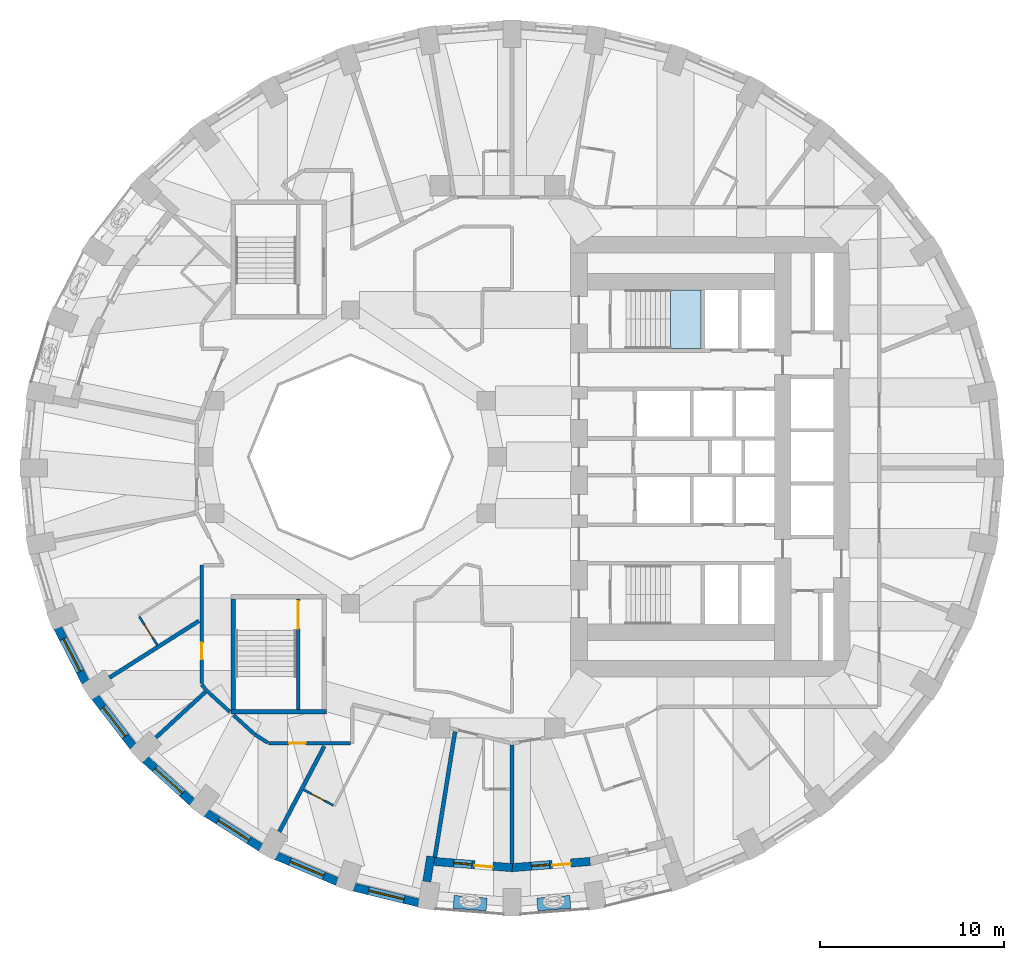
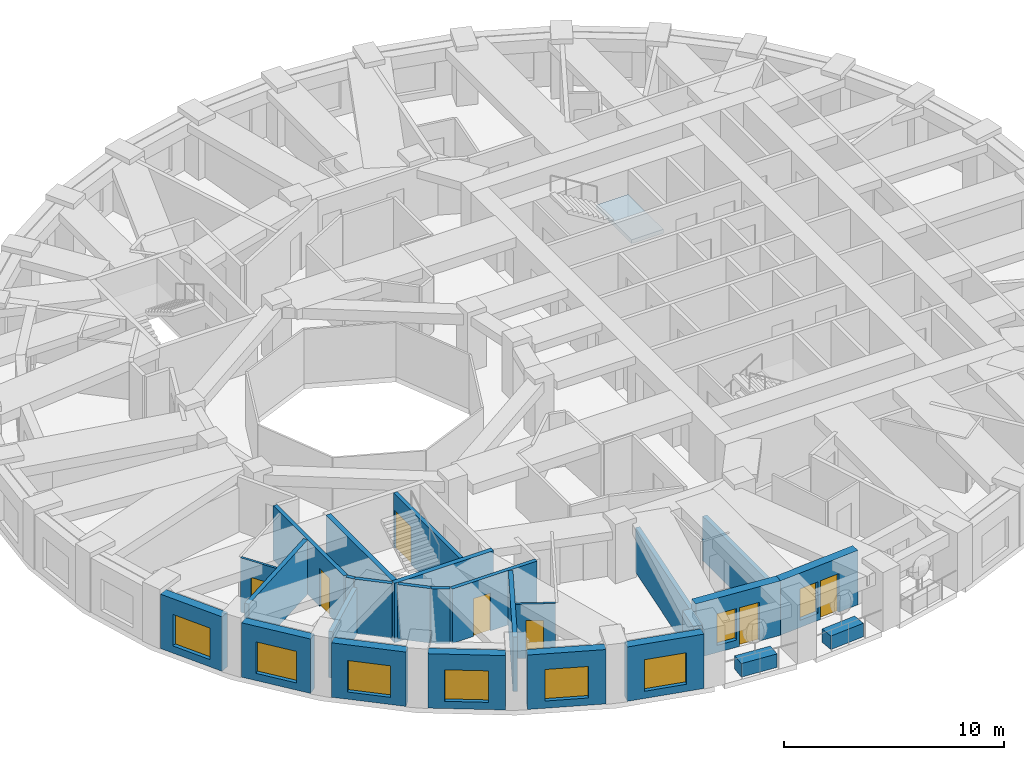
# One storey, part 3 of 13: 27 walls, 8 windows, 7 doors, 1 slab, 15 openings, 1 element without a shape of its own.
"""IFC4 building model written with IfcOpenShell, lengths in metres."""

from ifc_helpers import new_model, si_unit, direction, frame, frame_2d, origin, place, context, subcontext, project, spatial, polyline, rectangle, outline, extrude, material, layer, layer_set, constituent, constituent_set, type_object, element, fill, aggregate, save


model = new_model("IFC4")

# Units and contexts
model_context = context("Model", 3, precision=1e-05, world=origin(), true_north=direction((0.0, 1.0)))
body_context = subcontext(model_context, "Body", "Model", "MODEL_VIEW")
ifc_project = project(units=[si_unit("LENGTHUNIT", "METRE"), si_unit("AREAUNIT", "SQUARE_METRE"), si_unit("VOLUMEUNIT", "CUBIC_METRE"), si_unit("PLANEANGLEUNIT", "RADIAN"), si_unit("MASSUNIT", "GRAM", prefix="KILO")], contexts=[model_context])

# Site, building, storey
site_placement = place(None, origin())
site = spatial("IfcSite", under=ifc_project, at=site_placement, CompositionType="ELEMENT")
building_placement = place(site_placement, origin())
building = spatial("IfcBuilding", under=site, at=building_placement, Name="Taillehof Tower", CompositionType="ELEMENT")
storey_placement = place(building_placement, frame((0.0, 0.0, 112.0)))
storey = spatial("IfcBuildingStorey", under=building, at=storey_placement, Name="L31", CompositionType="ELEMENT", Elevation=112.0)

# Stair, slab
ifc_material_1 = material(Name="Concrete C40/50", Category="concrete")
stair_type = type_object("IfcStairType", Name="Exit stair half-turn", PredefinedType="HALF_TURN_STAIR", material=ifc_material_1)
stair_placement = place(storey_placement, origin())
stair = element("IfcStair", 1, at=stair_placement, inside=storey, type_object=stair_type, Name="Exit stair S1", PredefinedType="HALF_TURN_STAIR")
ifc_material_2 = material(Name="Concrete C40/50", Category="concrete")
ifc_layer_1 = layer(ifc_material_2, 0.2099609375)
ifc_layer_set_1 = layer_set([ifc_layer_1], Name="Stair landing C40/50 210")
slab_type = type_object("IfcSlabType", Name="Stair landing C40/50 210", PredefinedType="LANDING", material=ifc_layer_set_1)
slab_placement = place(storey_placement, frame((0.0, 0.0, 1.43994140625)))
slab = element("IfcSlab", 2, at=slab_placement, type_object=slab_type, Name="S1 landing 1", PredefinedType="LANDING", context=body_context, shape_type="SweptSolid", body=[
    extrude(outline(polyline([(9.429931640625, 5.89990234375), (11.10009765625, 5.89990234375), (11.10009765625, 9.10009765625), (9.429931640625, 9.10009765625), (9.429931640625, 5.89990234375)])), origin(), (0.0, 0.0, 1.0), 0.2099609375),
])
aggregate(stair, [slab])

# Wall, opening, window
ifc_material_3 = material(Name="Brick masonry", Category="masonry")
ifc_layer_2 = layer(ifc_material_3, 0.449951171875)
ifc_layer_set_2 = layer_set([ifc_layer_2], Name="Brick infill wall 450")
wall_type_1 = type_object("IfcWallType", Name="Brick infill wall 450", PredefinedType="SOLIDWALL", material=ifc_layer_set_2)
wall_1_placement = place(storey_placement, frame((-23.9453125, -9.312255859375, 0.0), z_axis=(0.0, 0.0, 1.0), x_axis=(0.456828186229, -0.889554949549, 0.0)))
wall_1 = element("IfcWall", 3, at=wall_1_placement, inside=storey, type_object=wall_type_1, Name="Brick wall L31 bay 21", PredefinedType="SOLIDWALL", context=body_context, shape_type="SweptSolid", body=[
    extrude(rectangle(XDim=3.332763671875, YDim=0.449951171875, at=frame_2d((1.66650390625, 0.0))), origin(), (0.0, 0.0, 1.0), 3.02001953125),
])
opening_1_placement = place(wall_1_placement, frame((0.666259765625, 0.0, 0.39990234375)))
opening_1 = element("IfcOpeningElement", 4, at=opening_1_placement, cuts=wall_1, Name="Opening W2", PredefinedType="OPENING", context=body_context, shape_type="SweptSolid", body=[
    extrude(rectangle(XDim=2.0, YDim=1.75, at=frame_2d((1.0, 0.875))), frame((0.0, 0.23486328125, 0.0), z_axis=(0.0, -1.0, 0.0), x_axis=(1.0, 0.0, 0.0)), (0.0, 0.0, 1.0), 0.469970703125),
])
ifc_material_4 = material(Name="Aluminium window frame with clear double glazing", Category="aluminium")
window_type_1 = type_object("IfcWindowType", Name="Deep-set window 2000x1750", PartitioningType="SINGLE_PANEL", PredefinedType="WINDOW", material=ifc_material_4)
window_1_placement = place(opening_1_placement, origin())
window_1 = element("IfcWindow", 5, at=window_1_placement, inside=storey, type_object=window_type_1, Name="W2", OverallHeight=1.75, OverallWidth=2.0, PartitioningType="SINGLE_PANEL", PredefinedType="WINDOW", context=body_context, shape_type="SweptSolid", body=[
    extrude(rectangle(XDim=2.0, YDim=1.75, at=frame_2d((1.0, 0.875))), frame((0.0, 0.034912109375, 0.0), z_axis=(0.0, -1.0, 0.0), x_axis=(1.0, 0.0, 0.0)), (0.0, 0.0, 1.0), 0.06005859375),
])
fill(opening_1, window_1)

wall_2_placement = place(storey_placement, frame((-21.908203125, -13.08740234375, 0.0), z_axis=(0.0, 0.0, 1.0), x_axis=(0.610693945156, -0.791866721961, 0.0)))
wall_2 = element("IfcWall", 6, at=wall_2_placement, inside=storey, type_object=wall_type_1, Name="Brick wall L31 bay 22", PredefinedType="SOLIDWALL", context=body_context, shape_type="SweptSolid", body=[
    extrude(rectangle(XDim=3.39453125, YDim=0.449951171875, at=frame_2d((1.697265625, 0.0))), origin(), (0.0, 0.0, 1.0), 3.02001953125),
])
opening_2_placement = place(wall_2_placement, frame((0.697265625, 0.0, 0.39990234375)))
opening_2 = element("IfcOpeningElement", 7, at=opening_2_placement, cuts=wall_2, Name="Opening W2", PredefinedType="OPENING", context=body_context, shape_type="SweptSolid", body=[
    extrude(rectangle(XDim=2.0, YDim=1.75, at=frame_2d((1.0, 0.875))), frame((0.0, 0.23486328125, 0.0), z_axis=(0.0, -1.0, 0.0), x_axis=(1.0, 0.0, 0.0)), (0.0, 0.0, 1.0), 0.469970703125),
])
window_2_placement = place(opening_2_placement, origin())
window_2 = element("IfcWindow", 8, at=window_2_placement, inside=storey, type_object=window_type_1, Name="W2", OverallHeight=1.75, OverallWidth=2.0, PartitioningType="SINGLE_PANEL", PredefinedType="WINDOW", context=body_context, shape_type="SweptSolid", body=[
    extrude(rectangle(XDim=2.0, YDim=1.75, at=frame_2d((1.0, 0.875))), frame((0.0, 0.034912109375, 0.0), z_axis=(0.0, -1.0, 0.0), x_axis=(1.0, 0.0, 0.0)), (0.0, 0.0, 1.0), 0.06005859375),
])
fill(opening_2, window_2)

wall_3_placement = place(storey_placement, frame((-19.18408203125, -16.481201171875, 0.0), z_axis=(0.0, 0.0, 1.0), x_axis=(0.740364106106, -0.672206062446, 0.0)))
wall_3 = element("IfcWall", 9, at=wall_3_placement, inside=storey, type_object=wall_type_1, Name="Brick wall L31 bay 23", PredefinedType="SOLIDWALL", context=body_context, shape_type="SweptSolid", body=[
    extrude(rectangle(XDim=3.4638671875, YDim=0.449951171875, at=frame_2d((1.73193359375, 0.0))), origin(), (0.0, 0.0, 1.0), 3.02001953125),
])
opening_3_placement = place(wall_3_placement, frame((0.73193359375, 0.0, 0.39990234375)))
opening_3 = element("IfcOpeningElement", 10, at=opening_3_placement, cuts=wall_3, Name="Opening W2", PredefinedType="OPENING", context=body_context, shape_type="SweptSolid", body=[
    extrude(rectangle(XDim=2.0, YDim=1.75, at=frame_2d((1.0, 0.875))), frame((0.0, 0.23486328125, 0.0), z_axis=(0.0, -1.0, 0.0), x_axis=(1.0, 0.0, 0.0)), (0.0, 0.0, 1.0), 0.469970703125),
])
window_3_placement = place(opening_3_placement, origin())
window_3 = element("IfcWindow", 11, at=window_3_placement, inside=storey, type_object=window_type_1, Name="W2", OverallHeight=1.75, OverallWidth=2.0, PartitioningType="SINGLE_PANEL", PredefinedType="WINDOW", context=body_context, shape_type="SweptSolid", body=[
    extrude(rectangle(XDim=2.0, YDim=1.75, at=frame_2d((1.0, 0.875))), frame((0.0, 0.034912109375, 0.0), z_axis=(0.0, -1.0, 0.0), x_axis=(1.0, 0.0, 0.0)), (0.0, 0.0, 1.0), 0.06005859375),
])
fill(opening_3, window_3)

wall_4_placement = place(storey_placement, frame((-15.856201171875, -19.39208984375, 0.0), z_axis=(0.0, 0.0, 1.0), x_axis=(0.843891947083, -0.53651317006, 0.0)))
wall_4 = element("IfcWall", 12, at=wall_4_placement, inside=storey, type_object=wall_type_1, Name="Brick wall L31 bay 24", PredefinedType="SOLIDWALL", context=body_context, shape_type="SweptSolid", body=[
    extrude(rectangle(XDim=3.531982421875, YDim=0.449951171875, at=frame_2d((1.76611328125, 0.0))), origin(), (0.0, 0.0, 1.0), 3.02001953125),
])
opening_4_placement = place(wall_4_placement, frame((0.76611328125, 0.0, 0.39990234375)))
opening_4 = element("IfcOpeningElement", 13, at=opening_4_placement, cuts=wall_4, Name="Opening W2", PredefinedType="OPENING", context=body_context, shape_type="SweptSolid", body=[
    extrude(rectangle(XDim=2.0, YDim=1.75, at=frame_2d((1.0, 0.875))), frame((0.0, 0.23486328125, 0.0), z_axis=(0.0, -1.0, 0.0), x_axis=(1.0, 0.0, 0.0)), (0.0, 0.0, 1.0), 0.469970703125),
])
window_4_placement = place(opening_4_placement, origin())
window_4 = element("IfcWindow", 14, at=window_4_placement, inside=storey, type_object=window_type_1, Name="W2", OverallHeight=1.75, OverallWidth=2.0, PartitioningType="SINGLE_PANEL", PredefinedType="WINDOW", context=body_context, shape_type="SweptSolid", body=[
    extrude(rectangle(XDim=2.0, YDim=1.75, at=frame_2d((1.0, 0.875))), frame((0.0, 0.034912109375, 0.0), z_axis=(0.0, -1.0, 0.0), x_axis=(1.0, 0.0, 0.0)), (0.0, 0.0, 1.0), 0.06005859375),
])
fill(opening_4, window_4)

wall_5_placement = place(storey_placement, frame((-12.025390625, -21.7333984375, 0.0), z_axis=(0.0, 0.0, 1.0), x_axis=(0.920879975612, -0.389846213932, 0.0)))
wall_5 = element("IfcWall", 15, at=wall_5_placement, inside=storey, type_object=wall_type_1, Name="Brick wall L31 bay 25", PredefinedType="SOLIDWALL", context=body_context, shape_type="SweptSolid", body=[
    extrude(rectangle(XDim=3.591552734375, YDim=0.449951171875, at=frame_2d((1.7958984375, 0.0))), origin(), (0.0, 0.0, 1.0), 3.02001953125),
])
opening_5_placement = place(wall_5_placement, frame((0.795654296875, 0.0, 0.39990234375)))
opening_5 = element("IfcOpeningElement", 16, at=opening_5_placement, cuts=wall_5, Name="Opening W2", PredefinedType="OPENING", context=body_context, shape_type="SweptSolid", body=[
    extrude(rectangle(XDim=2.0, YDim=1.75, at=frame_2d((1.0, 0.875))), frame((0.0, 0.23486328125, 0.0), z_axis=(0.0, -1.0, 0.0), x_axis=(1.0, 0.0, 0.0)), (0.0, 0.0, 1.0), 0.469970703125),
])
window_5_placement = place(opening_5_placement, origin())
window_5 = element("IfcWindow", 17, at=window_5_placement, inside=storey, type_object=window_type_1, Name="W2", OverallHeight=1.75, OverallWidth=2.0, PartitioningType="SINGLE_PANEL", PredefinedType="WINDOW", context=body_context, shape_type="SweptSolid", body=[
    extrude(rectangle(XDim=2.0, YDim=1.75, at=frame_2d((1.0, 0.875))), frame((0.0, 0.034912109375, 0.0), z_axis=(0.0, -1.0, 0.0), x_axis=(1.0, 0.0, 0.0)), (0.0, 0.0, 1.0), 0.06005859375),
])
fill(opening_5, window_5)

wall_6_placement = place(storey_placement, frame((-7.806640625, -23.435302734375, 0.0), z_axis=(0.0, 0.0, 1.0), x_axis=(0.971667603162, -0.236351579148, 0.0)))
wall_6 = element("IfcWall", 18, at=wall_6_placement, inside=storey, type_object=wall_type_1, Name="Brick wall L31 bay 26", PredefinedType="SOLIDWALL", context=body_context, shape_type="SweptSolid", body=[
    extrude(rectangle(XDim=3.635009765625, YDim=0.449951171875, at=frame_2d((1.8173828125, 0.0))), origin(), (0.0, 0.0, 1.0), 3.02001953125),
])
opening_6_placement = place(wall_6_placement, frame((0.8173828125, 0.0, 0.39990234375)))
opening_6 = element("IfcOpeningElement", 19, at=opening_6_placement, cuts=wall_6, Name="Opening W2", PredefinedType="OPENING", context=body_context, shape_type="SweptSolid", body=[
    extrude(rectangle(XDim=2.0, YDim=1.75, at=frame_2d((1.0, 0.875))), frame((0.0, 0.23486328125, 0.0), z_axis=(0.0, -1.0, 0.0), x_axis=(1.0, 0.0, 0.0)), (0.0, 0.0, 1.0), 0.469970703125),
])
window_6_placement = place(opening_6_placement, origin())
window_6 = element("IfcWindow", 20, at=window_6_placement, inside=storey, type_object=window_type_1, Name="W2", OverallHeight=1.75, OverallWidth=2.0, PartitioningType="SINGLE_PANEL", PredefinedType="WINDOW", context=body_context, shape_type="SweptSolid", body=[
    extrude(rectangle(XDim=2.0, YDim=1.75, at=frame_2d((1.0, 0.875))), frame((0.0, 0.034912109375, 0.0), z_axis=(0.0, -1.0, 0.0), x_axis=(1.0, 0.0, 0.0)), (0.0, 0.0, 1.0), 0.06005859375),
])
fill(opening_6, window_6)

# Wall
wall_7_placement = place(storey_placement, frame((-3.84130859375, -23.13232421875, 0.0), z_axis=(0.0, 0.0, 1.0), x_axis=(0.158442643832, 0.987368182906, 0.0)))
element("IfcWall", 21, at=wall_7_placement, inside=storey, type_object=wall_type_1, Name="Brick reveal L31 pocket 8", PredefinedType="SOLIDWALL", context=body_context, shape_type="SweptSolid", body=[
    extrude(rectangle(XDim=1.389892578125, YDim=0.449951171875, at=frame_2d((0.69482421875, 0.0))), origin(), (0.0, 0.0, 1.0), 2.469970703125),
])

# Wall, openings, door, window
wall_8_placement = place(storey_placement, frame((-3.4375, -22.036865234375, 0.0), z_axis=(0.0, 0.0, 1.0), x_axis=(0.996844307919, -0.079381520332, 0.0)))
wall_8 = element("IfcWall", 22, at=wall_8_placement, inside=storey, type_object=wall_type_1, Name="Brick wall L31 pocket bay 27", PredefinedType="SOLIDWALL", context=body_context, shape_type="SweptSolid", body=[
    extrude(rectangle(XDim=4.268798828125, YDim=0.449951171875, at=frame_2d((2.13427734375, 0.0))), origin(), (0.0, 0.0, 1.0), 3.02001953125),
])
opening_7_placement = place(wall_8_placement, frame((1.0595703125, 0.0, 0.39990234375)))
opening_7 = element("IfcOpeningElement", 23, at=opening_7_placement, cuts=wall_8, Name="Opening W5", PredefinedType="OPENING", context=body_context, shape_type="SweptSolid", body=[
    extrude(rectangle(XDim=1.0, YDim=1.75, at=frame_2d((0.5, 0.875))), frame((0.0, 0.23486328125, 0.0), z_axis=(0.0, -1.0, 0.0), x_axis=(1.0, 0.0, 0.0)), (0.0, 0.0, 1.0), 0.469970703125),
])
opening_8_placement = place(wall_8_placement, frame((2.20947265625, 0.0, 0.0)))
opening_8 = element("IfcOpeningElement", 24, at=opening_8_placement, cuts=wall_8, Name="Opening D3194", PredefinedType="OPENING", context=body_context, shape_type="SweptSolid", body=[
    extrude(rectangle(XDim=1.0, YDim=2.14990234375, at=frame_2d((0.5, 1.074951171875))), frame((0.0, 0.23486328125, 0.0), z_axis=(0.0, -1.0, 0.0), x_axis=(1.0, 0.0, 0.0)), (0.0, 0.0, 1.0), 0.469970703125),
])
ifc_material_5 = material(Name="Aluminium door frame with clear double glazing", Category="aluminium")
door_type_1 = type_object("IfcDoorType", Name="Balcony door 1000x2150", OperationType="SINGLE_SWING_RIGHT", PredefinedType="DOOR", material=ifc_material_5)
door_1_placement = place(opening_8_placement, frame((1.0, 0.0, 0.0), z_axis=(0.0, 0.0, 1.0), x_axis=(-1.0, 0.0, 0.0)))
door_1 = element("IfcDoor", 25, at=door_1_placement, inside=storey, type_object=door_type_1, Name="Balcony door L31 bay 27", OperationType="SINGLE_SWING_RIGHT", OverallHeight=2.14990234375, OverallWidth=1.0, PredefinedType="DOOR", context=body_context, shape_type="SweptSolid", body=[
    extrude(rectangle(XDim=1.0, YDim=2.14990234375, at=frame_2d((0.5, 1.074951171875))), frame((0.0, 0.0751953125, 0.0), z_axis=(0.0, -1.0, 0.0), x_axis=(1.0, 0.0, 0.0)), (0.0, 0.0, 1.0), 0.050048828125),
])
fill(opening_8, door_1)
ifc_material_6 = material(Name="Aluminium window frame with clear double glazing", Category="aluminium")
window_type_2 = type_object("IfcWindowType", Name="Fixed window 1000x1750", PartitioningType="SINGLE_PANEL", PredefinedType="WINDOW", material=ifc_material_6)
window_7_placement = place(opening_7_placement, origin())
window_7 = element("IfcWindow", 26, at=window_7_placement, inside=storey, type_object=window_type_2, Name="W5", OverallHeight=1.75, OverallWidth=1.0, PartitioningType="SINGLE_PANEL", PredefinedType="WINDOW", context=body_context, shape_type="SweptSolid", body=[
    extrude(rectangle(XDim=1.0, YDim=1.75, at=frame_2d((0.5, 0.875))), frame((0.0, 0.034912109375, 0.0), z_axis=(0.0, -1.0, 0.0), x_axis=(1.0, 0.0, 0.0)), (0.0, 0.0, 1.0), 0.06005859375),
])
fill(opening_7, window_7)

wall_9_placement = place(storey_placement, frame((0.7822265625, -22.375732421875, 0.0), z_axis=(0.0, 0.0, 1.0), x_axis=(0.996843465986, 0.079392092303, 0.0)))
wall_9 = element("IfcWall", 27, at=wall_9_placement, inside=storey, type_object=wall_type_1, Name="Brick wall L31 pocket bay 28", PredefinedType="SOLIDWALL", context=body_context, shape_type="SweptSolid", body=[
    extrude(rectangle(XDim=4.28662109375, YDim=0.449951171875, at=frame_2d((2.143310546875, 0.0))), origin(), (0.0, 0.0, 1.0), 3.02001953125),
])
opening_9_placement = place(wall_9_placement, frame((1.068359375, 0.0, 0.39990234375)))
opening_9 = element("IfcOpeningElement", 28, at=opening_9_placement, cuts=wall_9, Name="Opening W5", PredefinedType="OPENING", context=body_context, shape_type="SweptSolid", body=[
    extrude(rectangle(XDim=1.0, YDim=1.75, at=frame_2d((0.5, 0.875))), frame((0.0, 0.23486328125, 0.0), z_axis=(0.0, -1.0, 0.0), x_axis=(1.0, 0.0, 0.0)), (0.0, 0.0, 1.0), 0.469970703125),
])
opening_10_placement = place(wall_9_placement, frame((2.218505859375, 0.0, 0.0)))
opening_10 = element("IfcOpeningElement", 29, at=opening_10_placement, cuts=wall_9, Name="Opening D3195", PredefinedType="OPENING", context=body_context, shape_type="SweptSolid", body=[
    extrude(rectangle(XDim=1.0, YDim=2.14990234375, at=frame_2d((0.5, 1.074951171875))), frame((0.0, 0.23486328125, 0.0), z_axis=(0.0, -1.0, 0.0), x_axis=(1.0, 0.0, 0.0)), (0.0, 0.0, 1.0), 0.469970703125),
])
door_2_placement = place(opening_10_placement, frame((1.0, 0.0, 0.0), z_axis=(0.0, 0.0, 1.0), x_axis=(-1.0, 0.0, 0.0)))
door_2 = element("IfcDoor", 30, at=door_2_placement, inside=storey, type_object=door_type_1, Name="Balcony door L31 bay 28", OperationType="SINGLE_SWING_LEFT", OverallHeight=2.14990234375, OverallWidth=1.0, PredefinedType="DOOR", context=body_context, shape_type="SweptSolid", body=[
    extrude(rectangle(XDim=1.0, YDim=2.14990234375, at=frame_2d((0.5, 1.074951171875))), frame((0.0, 0.0751953125, 0.0), z_axis=(0.0, -1.0, 0.0), x_axis=(1.0, 0.0, 0.0)), (0.0, 0.0, 1.0), 0.050048828125),
])
fill(opening_10, door_2)
window_8_placement = place(opening_9_placement, origin())
window_8 = element("IfcWindow", 31, at=window_8_placement, inside=storey, type_object=window_type_2, Name="W5", OverallHeight=1.75, OverallWidth=1.0, PartitioningType="SINGLE_PANEL", PredefinedType="WINDOW", context=body_context, shape_type="SweptSolid", body=[
    extrude(rectangle(XDim=1.0, YDim=1.75, at=frame_2d((0.5, 0.875))), frame((0.0, 0.034912109375, 0.0), z_axis=(0.0, -1.0, 0.0), x_axis=(1.0, 0.0, 0.0)), (0.0, 0.0, 1.0), 0.06005859375),
])
fill(opening_9, window_8)

# Walls
ifc_material_7 = material(Name="Gypsum board on steel studs, two layers each side", Category="steel")
ifc_layer_3 = layer(ifc_material_7, 0.199951171875)
ifc_layer_set_3 = layer_set([ifc_layer_3], Name="Compartment wall corridor 200")
wall_type_2 = type_object("IfcWallType", Name="Compartment wall corridor 200", PredefinedType="PARTITIONING", material=ifc_layer_set_3)
wall_10_placement = place(storey_placement, frame((-14.5595703125, -13.891357421875, 0.0), z_axis=(0.0, 0.0, 1.0), x_axis=(-0.739440483737, 0.673221932954, 0.0)))
element("IfcWall", 32, at=wall_10_placement, inside=storey, type_object=wall_type_2, Name="Compartment wall", PredefinedType="PARTITIONING", context=body_context, shape_type="SweptSolid", body=[
    extrude(rectangle(XDim=1.74755859375, YDim=0.199951171875, at=frame_2d((0.873779296875, 0.0))), origin(), (0.0, 0.0, 1.0), 3.02001953125),
])
wall_11_placement = place(storey_placement, frame((-15.864013671875, -12.698974609375, 0.0), z_axis=(0.0, 0.0, 1.0), x_axis=(-0.61004607296, 0.792365943782, 0.0)))
element("IfcWall", 33, at=wall_11_placement, inside=storey, type_object=wall_type_2, Name="Compartment wall", PredefinedType="PARTITIONING", context=body_context, shape_type="SweptSolid", body=[
    extrude(rectangle(XDim=0.386962890625, YDim=0.199951171875, at=frame_2d((0.193359375, 0.0))), origin(), (0.0, 0.0, 1.0), 3.02001953125),
])

# Wall, opening, door
wall_12_placement = place(storey_placement, frame((-16.10009765625, -12.332275390625, 0.0), z_axis=(0.0, 0.0, 1.0), x_axis=(0.0, 1.0, 0.0)))
wall_12 = element("IfcWall", 34, at=wall_12_placement, inside=storey, type_object=wall_type_2, Name="Compartment wall", PredefinedType="PARTITIONING", context=body_context, shape_type="SweptSolid", body=[
    extrude(rectangle(XDim=6.432373046875, YDim=0.199951171875, at=frame_2d((3.21630859375, 0.0))), origin(), (0.0, 0.0, 1.0), 3.02001953125),
])
opening_11_placement = place(wall_12_placement, frame((1.30419921875, 0.0, 0.0)))
opening_11 = element("IfcOpeningElement", 35, at=opening_11_placement, cuts=wall_12, Name="Opening D3154", PredefinedType="OPENING", context=body_context, shape_type="SweptSolid", body=[
    extrude(rectangle(XDim=0.89990234375, YDim=2.10009765625, at=frame_2d((0.449951171875, 1.050048828125))), frame((0.0, 0.10986328125, 0.0), z_axis=(0.0, -1.0, 0.0), x_axis=(1.0, 0.0, 0.0)), (0.0, 0.0, 1.0), 0.219970703125),
])
ifc_material_8 = material(Name="Timber door leaf in steel frame", Category="steel")
door_type_2 = type_object("IfcDoorType", Name="Service room door EI 30 900 x 2100", OperationType="SINGLE_SWING_LEFT", PredefinedType="DOOR", material=ifc_material_8)
door_3_placement = place(opening_11_placement, origin())
door_3 = element("IfcDoor", 36, at=door_3_placement, inside=storey, type_object=door_type_2, Name="D3154", OperationType="SINGLE_SWING_RIGHT", OverallHeight=2.10009765625, OverallWidth=0.89990234375, PredefinedType="DOOR", context=body_context, shape_type="SweptSolid", body=[
    extrude(rectangle(XDim=0.89990234375, YDim=2.10009765625, at=frame_2d((0.449951171875, 1.050048828125))), frame((0.0, 0.02490234375, 0.0), z_axis=(0.0, -1.0, 0.0), x_axis=(1.0, 0.0, 0.0)), (0.0, 0.0, 1.0), 0.050048828125),
])
fill(opening_11, door_3)

wall_13_placement = place(storey_placement, frame((-8.0, -15.60009765625, 0.0), z_axis=(0.0, 0.0, 1.0), x_axis=(-1.0, 0.0, 0.0)))
wall_13 = element("IfcWall", 37, at=wall_13_placement, inside=storey, type_object=wall_type_2, Name="Compartment wall", PredefinedType="PARTITIONING", context=body_context, shape_type="SweptSolid", body=[
    extrude(rectangle(XDim=4.450927734375, YDim=0.199951171875, at=frame_2d((2.2255859375, 0.0))), origin(), (0.0, 0.0, 1.0), 3.02001953125),
])
opening_12_placement = place(wall_13_placement, frame((2.441650390625, 0.0, 0.0)))
opening_12 = element("IfcOpeningElement", 38, at=opening_12_placement, cuts=wall_13, Name="Opening D3155", PredefinedType="OPENING", context=body_context, shape_type="SweptSolid", body=[
    extrude(rectangle(XDim=0.89990234375, YDim=2.10009765625, at=frame_2d((0.449951171875, 1.050048828125))), frame((0.0, 0.10986328125, 0.0), z_axis=(0.0, -1.0, 0.0), x_axis=(1.0, 0.0, 0.0)), (0.0, 0.0, 1.0), 0.219970703125),
])
door_4_placement = place(opening_12_placement, origin())
door_4 = element("IfcDoor", 39, at=door_4_placement, inside=storey, type_object=door_type_2, Name="D3155", OperationType="SINGLE_SWING_LEFT", OverallHeight=2.10009765625, OverallWidth=0.89990234375, PredefinedType="DOOR", context=body_context, shape_type="SweptSolid", body=[
    extrude(rectangle(XDim=0.89990234375, YDim=2.10009765625, at=frame_2d((0.449951171875, 1.050048828125))), frame((0.0, 0.02490234375, 0.0), z_axis=(0.0, -1.0, 0.0), x_axis=(1.0, 0.0, 0.0)), (0.0, 0.0, 1.0), 0.050048828125),
])
fill(opening_12, door_4)

# Walls
wall_14_placement = place(storey_placement, frame((-12.50146484375, -15.56787109375, 0.0), z_axis=(0.0, 0.0, 1.0), x_axis=(-0.843169167706, 0.537648355926, 0.0)))
element("IfcWall", 40, at=wall_14_placement, inside=storey, type_object=wall_type_2, Name="Compartment wall", PredefinedType="PARTITIONING", context=body_context, shape_type="SweptSolid", body=[
    extrude(rectangle(XDim=0.858154296875, YDim=0.199951171875, at=frame_2d((0.42919921875, 0.0))), origin(), (0.0, 0.0, 1.0), 3.02001953125),
])
wall_15_placement = place(storey_placement, frame((-13.239990234375, -15.093017578125, 0.0), z_axis=(0.0, 0.0, 1.0), x_axis=(-0.739438095557, 0.673224556028, 0.0)))
element("IfcWall", 41, at=wall_15_placement, inside=storey, type_object=wall_type_2, Name="Compartment wall", PredefinedType="PARTITIONING", context=body_context, shape_type="SweptSolid", body=[
    extrude(rectangle(XDim=1.51904296875, YDim=0.199951171875, at=frame_2d((0.759521484375, 0.0))), origin(), (0.0, 0.0, 1.0), 3.02001953125),
])
ifc_material_9 = material(Name="Gypsum board on double steel studs with mineral wool", Category="steel")
ifc_layer_4 = layer(ifc_material_9, 0.219970703125)
ifc_layer_set_4 = layer_set([ifc_layer_4], Name="Compartment wall guest room 220")
wall_type_3 = type_object("IfcWallType", Name="Compartment wall guest room 220", PredefinedType="PARTITIONING", material=ifc_layer_set_4)
wall_16_placement = place(storey_placement, frame((-21.12646484375, -12.0234375, 0.0), z_axis=(0.0, 0.0, 1.0), x_axis=(0.844499715613, 0.535556001114, 0.0)))
element("IfcWall", 42, at=wall_16_placement, inside=storey, type_object=wall_type_3, Name="Compartment wall", PredefinedType="PARTITIONING", context=body_context, shape_type="SweptSolid", body=[
    extrude(rectangle(XDim=5.7734375, YDim=0.219970703125, at=frame_2d((2.88671875, 0.0))), origin(), (0.0, 0.0, 1.0), 3.02001953125),
])
wall_17_placement = place(storey_placement, frame((-18.60400390625, -15.293701171875, 0.0), z_axis=(0.0, 0.0, 1.0), x_axis=(0.73529495628, 0.677747244383, 0.0)))
element("IfcWall", 43, at=wall_17_placement, inside=storey, type_object=wall_type_3, Name="Compartment wall", PredefinedType="PARTITIONING", context=body_context, shape_type="SweptSolid", body=[
    extrude(rectangle(XDim=3.673828125, YDim=0.219970703125, at=frame_2d((1.8369140625, 0.0))), origin(), (0.0, 0.0, 1.0), 2.570068359375),
])
wall_18_placement = place(storey_placement, frame((-11.8759765625, -20.417724609375, 0.0), z_axis=(0.0, 0.0, 1.0), x_axis=(0.465320539057, 0.885142246157, 0.0)))
element("IfcWall", 44, at=wall_18_placement, inside=storey, type_object=wall_type_3, Name="Compartment wall", PredefinedType="PARTITIONING", context=body_context, shape_type="SweptSolid", body=[
    extrude(rectangle(XDim=5.269287109375, YDim=0.219970703125, at=frame_2d((2.634765625, 0.0))), origin(), (0.0, 0.0, 1.0), 3.02001953125),
])
wall_19_placement = place(storey_placement, frame((-3.40185546875, -21.81396484375, 0.0), z_axis=(0.0, 0.0, 1.0), x_axis=(0.158512534522, 0.987356965033, 0.0)))
element("IfcWall", 45, at=wall_19_placement, inside=storey, type_object=wall_type_3, Name="Compartment wall", PredefinedType="PARTITIONING", context=body_context, shape_type="SweptSolid", body=[
    extrude(rectangle(XDim=6.930908203125, YDim=0.219970703125, at=frame_2d((3.46533203125, 0.0))), origin(), (0.0, 0.0, 1.0), 2.469970703125),
])
wall_20_placement = place(storey_placement, frame((0.800048828125, -22.148681640625, 0.0), z_axis=(0.0, 0.0, 1.0), x_axis=(0.0, 1.0, 0.0)))
element("IfcWall", 46, at=wall_20_placement, inside=storey, type_object=wall_type_3, Name="Compartment wall", PredefinedType="PARTITIONING", context=body_context, shape_type="SweptSolid", body=[
    extrude(rectangle(XDim=6.448486328125, YDim=0.219970703125, at=frame_2d((3.22412109375, 0.0))), origin(), (0.0, 0.0, 1.0), 2.469970703125),
])

# Wall, opening, door
ifc_material_10 = material(Name="Gypsum board on steel studs, moisture resistant", Category="steel")
ifc_layer_5 = layer(ifc_material_10, 0.1201171875)
ifc_layer_set_5 = layer_set([ifc_layer_5], Name="En-suite wall 120")
wall_type_4 = type_object("IfcWallType", Name="En-suite wall 120", PredefinedType="PARTITIONING", material=ifc_layer_set_5)
wall_21_placement = place(storey_placement, frame((-19.50341796875, -8.69677734375, 0.0), z_axis=(0.0, 0.0, 1.0), x_axis=(0.535467767516, -0.844555664211, 0.0)))
wall_21 = element("IfcWall", 47, at=wall_21_placement, inside=storey, type_object=wall_type_4, Name="En-suite wall", PredefinedType="PARTITIONING", context=body_context, shape_type="SweptSolid", body=[
    extrude(rectangle(XDim=1.830078125, YDim=0.1201171875, at=frame_2d((0.9150390625, 0.0))), origin(), (0.0, 0.0, 1.0), 3.02001953125),
])
opening_13_placement = place(wall_21_placement, frame((0.5400390625, 0.0, 0.0)))
opening_13 = element("IfcOpeningElement", 48, at=opening_13_placement, cuts=wall_21, Name="Opening D3153", PredefinedType="OPENING", context=body_context, shape_type="SweptSolid", body=[
    extrude(rectangle(XDim=0.800048828125, YDim=2.10009765625, at=frame_2d((0.39990234375, 1.050048828125))), frame((0.0, 0.070068359375, 0.0), z_axis=(0.0, -1.0, 0.0), x_axis=(1.0, 0.0, 0.0)), (0.0, 0.0, 1.0), 0.14013671875),
])
ifc_material_11 = material(Name="Timber door leaf in steel frame", Category="steel")
door_type_3 = type_object("IfcDoorType", Name="En-suite door 800 x 2100", OperationType="SINGLE_SWING_LEFT", PredefinedType="DOOR", material=ifc_material_11)
door_5_placement = place(opening_13_placement, origin())
door_5 = element("IfcDoor", 49, at=door_5_placement, inside=storey, type_object=door_type_3, Name="D3153", OperationType="SINGLE_SWING_LEFT", OverallHeight=2.10009765625, OverallWidth=0.800048828125, PredefinedType="DOOR", context=body_context, shape_type="SweptSolid", body=[
    extrude(rectangle(XDim=0.800048828125, YDim=2.10009765625, at=frame_2d((0.39990234375, 1.050048828125))), frame((0.0, 0.02490234375, 0.0), z_axis=(0.0, -1.0, 0.0), x_axis=(1.0, 0.0, 0.0)), (0.0, 0.0, 1.0), 0.050048828125),
])
fill(opening_13, door_5)

wall_22_placement = place(storey_placement, frame((-8.929443359375, -18.981201171875, 0.0), z_axis=(0.0, 0.0, 1.0), x_axis=(-0.885114946598, 0.465372465139, 0.0)))
wall_22 = element("IfcWall", 50, at=wall_22_placement, inside=storey, type_object=wall_type_4, Name="En-suite wall", PredefinedType="PARTITIONING", context=body_context, shape_type="SweptSolid", body=[
    extrude(rectangle(XDim=1.829833984375, YDim=0.1201171875, at=frame_2d((0.9150390625, 0.0))), origin(), (0.0, 0.0, 1.0), 3.02001953125),
])
opening_14_placement = place(wall_22_placement, frame((0.539794921875, 0.0, 0.0)))
opening_14 = element("IfcOpeningElement", 51, at=opening_14_placement, cuts=wall_22, Name="Opening D3157", PredefinedType="OPENING", context=body_context, shape_type="SweptSolid", body=[
    extrude(rectangle(XDim=0.800048828125, YDim=2.10009765625, at=frame_2d((0.39990234375, 1.050048828125))), frame((0.0, 0.070068359375, 0.0), z_axis=(0.0, -1.0, 0.0), x_axis=(1.0, 0.0, 0.0)), (0.0, 0.0, 1.0), 0.14013671875),
])
door_6_placement = place(opening_14_placement, origin())
door_6 = element("IfcDoor", 52, at=door_6_placement, inside=storey, type_object=door_type_3, Name="D3157", OperationType="SINGLE_SWING_RIGHT", OverallHeight=2.10009765625, OverallWidth=0.800048828125, PredefinedType="DOOR", context=body_context, shape_type="SweptSolid", body=[
    extrude(rectangle(XDim=0.800048828125, YDim=2.10009765625, at=frame_2d((0.39990234375, 1.050048828125))), frame((0.0, 0.02490234375, 0.0), z_axis=(0.0, -1.0, 0.0), x_axis=(1.0, 0.0, 0.0)), (0.0, 0.0, 1.0), 0.050048828125),
])
fill(opening_14, door_6)

# Walls
ifc_material_12 = material(Name="Concrete C30/37 precast", Category="concrete")
ifc_constituent_1 = constituent(ifc_material_12, Name="Structure", Category="concrete")
ifc_material_13 = material(Name="Insulated lining")
ifc_constituent_2 = constituent(ifc_material_13, Name="Lining")
ifc_constituent_set = constituent_set(constituents=[ifc_constituent_1, ifc_constituent_2], Name="Planter trough 700x750")
wall_type_5 = type_object("IfcWallType", Name="Planter trough 700x750", PredefinedType="USERDEFINED", material=ifc_constituent_set)
for number, where, z_axis, x_axis, name in (
    (53, (-2.3779296875, -24.23583984375, 0.0), (0.0, 0.0, 1.0), (0.996858257414, -0.079206152698, 0.0), "Planter L31 bay 27"),
    (54, (2.18359375, -24.37841796875, 0.0), (0.0, 0.0, 1.0), (0.996858257414, 0.079206152698, 0.0), "Planter L31 bay 28"),
):
    element("IfcWall", number, at=place(storey_placement, frame(where, z_axis=z_axis, x_axis=x_axis)), inside=storey, type_object=wall_type_5, Name=name, ObjectType="PLANTER", PredefinedType="USERDEFINED", context=body_context, shape_type="SweptSolid", body=[
        extrude(rectangle(XDim=1.800048828125, YDim=0.699951171875, at=frame_2d((0.89990234375, 0.0))), origin(), (0.0, 0.0, 1.0), 0.75),
    ])

# Wall, opening, door
ifc_material_14 = material(Name="Concrete C50/60", Category="concrete")
ifc_layer_6 = layer(ifc_material_14, 0.199951171875)
ifc_layer_set_6 = layer_set([ifc_layer_6], Name="Shaft wall C50/60 200")
wall_type_6 = type_object("IfcWallType", Name="Shaft wall C50/60 200", PredefinedType="SHEAR", material=ifc_layer_set_6)
wall_23_placement = place(storey_placement, frame((-10.85009765625, -13.75, 0.0), z_axis=(0.0, 0.0, 1.0), x_axis=(0.0, 1.0, 0.0)))
wall_23 = element("IfcWall", 55, at=wall_23_placement, inside=storey, type_object=wall_type_6, Name="Shaft wall SW", PredefinedType="SHEAR", context=body_context, shape_type="SweptSolid", body=[
    extrude(rectangle(XDim=6.0, YDim=0.199951171875, at=frame_2d((3.0, 0.0))), origin(), (0.0, 0.0, 1.0), 3.02001953125),
])
opening_15_placement = place(wall_23_placement, frame((4.39990234375, 0.0, 0.0)))
opening_15 = element("IfcOpeningElement", 56, at=opening_15_placement, cuts=wall_23, Name="Opening D3113", PredefinedType="OPENING", context=body_context, shape_type="SweptSolid", body=[
    extrude(rectangle(XDim=1.5, YDim=2.10009765625, at=frame_2d((0.75, 1.050048828125))), frame((0.0, 0.10986328125, 0.0), z_axis=(0.0, -1.0, 0.0), x_axis=(1.0, 0.0, 0.0)), (0.0, 0.0, 1.0), 0.219970703125),
])
ifc_material_15 = material(Name="Steel-faced fire door", Category="steel")
door_type_4 = type_object("IfcDoorType", Name="Stair door 1500x2100", OperationType="DOUBLE_DOOR_SINGLE_SWING", PredefinedType="DOOR", material=ifc_material_15)
door_7_placement = place(opening_15_placement, origin())
door_7 = element("IfcDoor", 57, at=door_7_placement, inside=storey, type_object=door_type_4, Name="Stair lobby door S4", OperationType="DOUBLE_DOOR_SINGLE_SWING", OverallHeight=2.10009765625, OverallWidth=1.5, PredefinedType="DOOR", context=body_context, shape_type="SweptSolid", body=[
    extrude(rectangle(XDim=1.5, YDim=2.10009765625, at=frame_2d((0.75, 1.050048828125))), frame((0.0, 0.02490234375, 0.0), z_axis=(0.0, -1.0, 0.0), x_axis=(1.0, 0.0, 0.0)), (0.0, 0.0, 1.0), 0.050048828125),
])
fill(opening_15, door_7)

# Walls
ifc_material_16 = material(Name="Concrete C50/60", Category="concrete")
ifc_layer_7 = layer(ifc_material_16, 0.25)
ifc_layer_set_7 = layer_set([ifc_layer_7], Name="Stair wall C50/60 250")
wall_type_7 = type_object("IfcWallType", Name="Stair wall C50/60 250", PredefinedType="SHEAR", material=ifc_layer_set_7)
wall_24_placement = place(storey_placement, frame((-14.375, -13.75, -0.280029296875), z_axis=(0.0, 0.0, 1.0), x_axis=(0.0, 1.0, 0.0)))
element("IfcWall", 58, at=wall_24_placement, inside=storey, type_object=wall_type_7, Name="Stair wall SC", PredefinedType="SHEAR", context=body_context, shape_type="SweptSolid", body=[
    extrude(rectangle(XDim=6.0, YDim=0.25, at=frame_2d((3.0, 0.0))), origin(), (0.0, 0.0, 1.0), 3.300048828125),
])
wall_25_placement = place(storey_placement, frame((-14.5, -13.875, -0.280029296875), z_axis=(0.0, 0.0, 1.0), x_axis=(1.0, 0.0, 0.0)))
element("IfcWall", 59, at=wall_25_placement, inside=storey, type_object=wall_type_7, Name="Stair wall SC", PredefinedType="SHEAR", context=body_context, shape_type="SweptSolid", body=[
    extrude(rectangle(XDim=5.199951171875, YDim=0.25, at=frame_2d((2.60009765625, 0.0))), origin(), (0.0, 0.0, 1.0), 3.300048828125),
])

save(model, "model.ifc")
